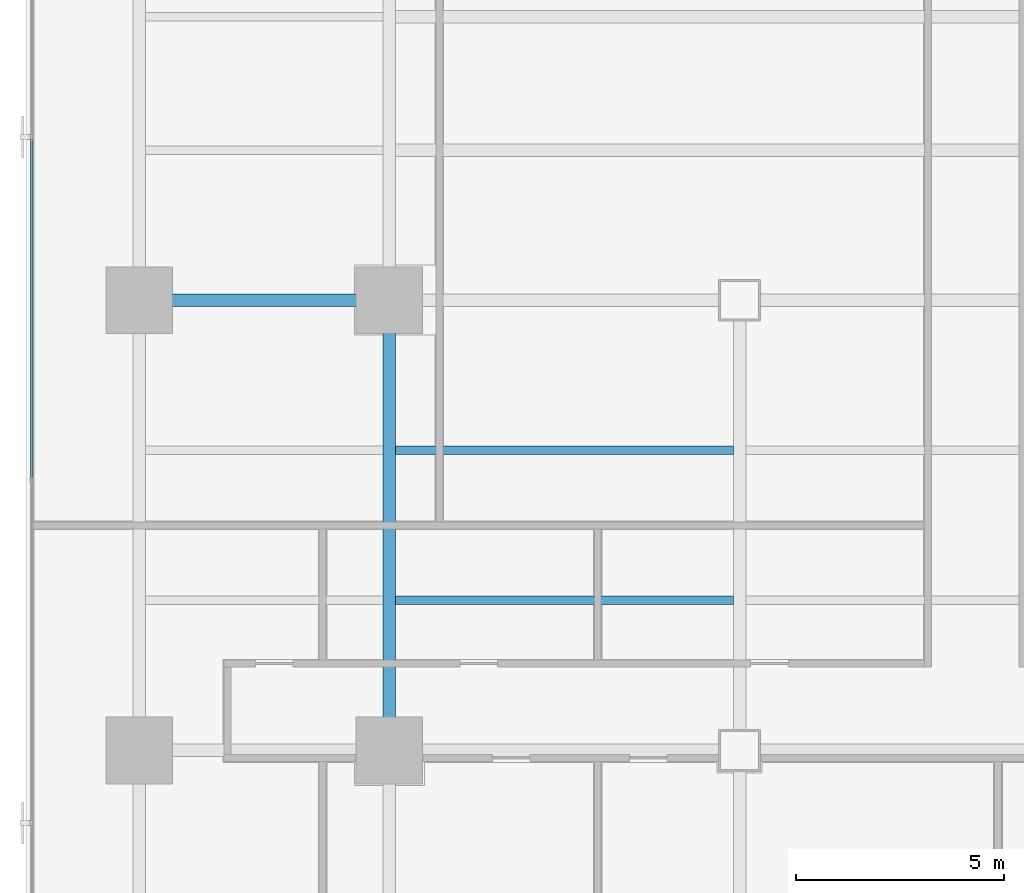
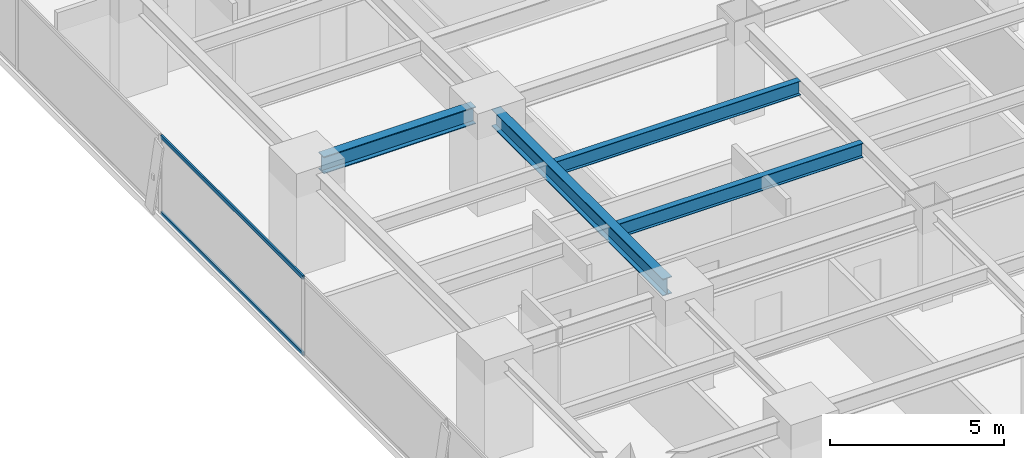
# One storey, part 9 of 37: 4 beams, 2 members, 1 element without a shape of its own.
"""IFC4 building model written with IfcOpenShell, lengths in metres."""

from ifc_helpers import new_model, si_unit, direction, frame, origin, origin_2d, place, context, subcontext, project, spatial, hollow_rectangle, i_section, extrude, source, transform, mapped, material, layer, layer_set, material_profile, profile_set, type_object, element, aggregate, save


model = new_model("IFC4")

# Units and contexts
model_context = context("Model", 3, precision=1e-05, world=origin(), true_north=direction((0.0, 1.0)))
body_context = subcontext(model_context, "Body", "Model", "MODEL_VIEW")
ifc_project = project(units=[si_unit("LENGTHUNIT", "METRE"), si_unit("AREAUNIT", "SQUARE_METRE"), si_unit("VOLUMEUNIT", "CUBIC_METRE"), si_unit("PLANEANGLEUNIT", "RADIAN"), si_unit("MASSUNIT", "GRAM", prefix="KILO")], contexts=[model_context])

# Site, building, storey
site_placement = place(None, origin())
site = spatial("IfcSite", under=ifc_project, at=site_placement, CompositionType="ELEMENT")
building_placement = place(site_placement, origin())
building = spatial("IfcBuilding", under=site, at=building_placement, Name="Sumidabori Civic Tower", CompositionType="ELEMENT")
storey_placement = place(building_placement, frame((0.0, 0.0, 110.0)))
storey = spatial("IfcBuildingStorey", under=building, at=storey_placement, Name="L28", CompositionType="ELEMENT", Elevation=110.0)

# Beams
ifc_material_1 = material(Name="Steel SN490", Category="steel")
ifc_material_profile_1 = material_profile(ifc_material_1, i_section(OverallWidth=0.300048828125, OverallDepth=0.60009765625, WebThickness=0.015380859375, FlangeThickness=0.030029296875, at=origin_2d()), Name="HE 600 B")
ifc_profile_set_1 = profile_set([ifc_material_profile_1], Name="Steel SN490")
beam_type_1 = type_object("IfcBeamType", Name="BM-GIRD-600", PredefinedType="BEAM", material=ifc_profile_set_1)
shared_shape_1 = source(origin(), body_context, "Body", "SweptSolid", [
    extrude(i_section(OverallWidth=0.300048828125, OverallDepth=0.60009765625, WebThickness=0.015380859375, FlangeThickness=0.030029296875, at=origin_2d()), origin(), (0.0, 0.0, 1.0), 5.0400390625),
])
beam_1_placement = place(storey_placement, frame((-22.320068359375, 0.0, 3.06005859375), z_axis=(1.0, 0.0, 0.0), x_axis=(0.0, 1.0, 0.0)))
element("IfcBeam", 1, at=beam_1_placement, inside=storey, type_object=beam_type_1, Name="Primary Girder L28 GX-13", PredefinedType="BEAM", context=body_context, shape_type="MappedRepresentation", body=[
    mapped(shared_shape_1, transform((0.0, 0.0, 0.0), x_axis=(1.0, 0.0, 0.0), y_axis=(0.0, 1.0, 0.0), z_axis=(0.0, 0.0, 1.0), scale=1.0)),
])
shared_shape_2 = source(origin(), body_context, "Body", "SweptSolid", [
    extrude(i_section(OverallWidth=0.300048828125, OverallDepth=0.60009765625, WebThickness=0.015380859375, FlangeThickness=0.030029296875, at=origin_2d()), origin(), (0.0, 0.0, 1.0), 9.840087890625),
])
beam_2_placement = place(storey_placement, frame((-16.800048828125, -10.320068359375, 3.06005859375), z_axis=(0.0, 1.0, 0.0), x_axis=(-1.0, 0.0, 0.0)))
element("IfcBeam", 2, at=beam_2_placement, inside=storey, type_object=beam_type_1, Name="Primary Girder L28 GY-26", PredefinedType="BEAM", context=body_context, shape_type="MappedRepresentation", body=[
    mapped(shared_shape_2, transform((0.0, 0.0, 0.0), x_axis=(1.0, 0.0, 0.0), y_axis=(0.0, 1.0, 0.0), z_axis=(0.0, 0.0, 1.0), scale=1.0)),
])
ifc_material_profile_2 = material_profile(ifc_material_1, i_section(OverallWidth=0.199951171875, OverallDepth=0.5, WebThickness=0.01025390625, FlangeThickness=0.01611328125, at=origin_2d()), Name="IPE 500")
ifc_profile_set_2 = profile_set([ifc_material_profile_2], Name="Steel SN490")
beam_type_2 = type_object("IfcBeamType", Name="BM-JST-500", PredefinedType="JOIST", material=ifc_profile_set_2)
shared_shape_3 = source(origin(), body_context, "Body", "SweptSolid", [
    extrude(i_section(OverallWidth=0.199951171875, OverallDepth=0.5, WebThickness=0.01025390625, FlangeThickness=0.01611328125, at=origin_2d()), origin(), (0.0, 0.0, 1.0), 8.099853515625),
])
for number, where, z_axis, x_axis, name in (
    (3, (-16.64990234375, -7.199951171875, 3.110107421875), (1.0, 0.0, 0.0), (0.0, 1.0, 0.0), "South Bay Floor Joist L28 JSTS-59"),
    (4, (-16.64990234375, -3.60009765625, 3.110107421875), (1.0, 0.0, 0.0), (0.0, 1.0, 0.0), "South Bay Floor Joist L28 JSTS-63"),
):
    element("IfcBeam", number, at=place(storey_placement, frame(where, z_axis=z_axis, x_axis=x_axis)), inside=storey, type_object=beam_type_2, Name=name, PredefinedType="JOIST", context=body_context, shape_type="MappedRepresentation", body=[
        mapped(shared_shape_3, transform((0.0, 0.0, 0.0), x_axis=(1.0, 0.0, 0.0), y_axis=(0.0, 1.0, 0.0), z_axis=(0.0, 0.0, 1.0), scale=1.0)),
    ])

# Curtain wall, members
ifc_material_2 = material(Name="Anodised Bronze Aluminium AW-6063-T6", Category="aluminium")
ifc_layer = layer(ifc_material_2, 0.179931640625, Name="Anodised Bronze Aluminium AW-6063-T6")
ifc_layer_set = layer_set([ifc_layer], Name="Anodised Bronze Aluminium AW-6063-T6")
curtain_wall_type = type_object("IfcCurtainWallType", Name="CW-SYS-3", PredefinedType="NOTDEFINED", material=ifc_layer_set)
curtain_wall_placement = place(storey_placement, origin())
curtain_wall = element("IfcCurtainWall", 5, at=curtain_wall_placement, inside=storey, type_object=curtain_wall_type, Name="Curtain Wall CW:L28:R10", PredefinedType="NOTDEFINED")
ifc_material_profile_3 = material_profile(ifc_material_2, hollow_rectangle(XDim=0.06005859375, YDim=0.1298828125, WallThickness=0.0048828125, at=origin_2d()), Name="ALU TRANSOM 130x60")
ifc_profile_set_3 = profile_set([ifc_material_profile_3], Name="Anodised Bronze Aluminium AW-6063-T6")
member_type = type_object("IfcMemberType", Name="CW-TRN-130", PredefinedType="USERDEFINED", material=ifc_profile_set_3)
shared_shape_4 = source(origin(), body_context, "Body", "SweptSolid", [
    extrude(hollow_rectangle(XDim=0.06005859375, YDim=0.1298828125, WallThickness=0.0048828125, at=origin_2d()), origin(), (0.0, 0.0, 1.0), 8.1630859375),
])
member_1_placement = place(storey_placement, frame((-25.3798828125, 3.881591796875, 0.030029296875), z_axis=(0.0, -1.0, 0.0), x_axis=(1.0, 0.0, 0.0)))
member_1 = element("IfcMember", 6, at=member_1_placement, type_object=member_type, Name="CW-3 transom 3.1", ObjectType="TRANSOM", PredefinedType="USERDEFINED", context=body_context, shape_type="MappedRepresentation", body=[
    mapped(shared_shape_4, transform((0.0, 0.0, 0.0), x_axis=(1.0, 0.0, 0.0), y_axis=(0.0, 1.0, 0.0), z_axis=(0.0, 0.0, 1.0), scale=1.0)),
])
member_2_placement = place(storey_placement, frame((-25.3798828125, 3.881591796875, 2.7099609375), z_axis=(0.0, -1.0, 0.0), x_axis=(1.0, 0.0, 0.0)))
member_2 = element("IfcMember", 7, at=member_2_placement, type_object=member_type, Name="CW-3 transom 3.2", ObjectType="TRANSOM", PredefinedType="USERDEFINED", context=body_context, shape_type="MappedRepresentation", body=[
    mapped(shared_shape_4, transform((0.0, 0.0, 0.0), x_axis=(1.0, 0.0, 0.0), y_axis=(0.0, 1.0, 0.0), z_axis=(0.0, 0.0, 1.0), scale=1.0)),
])
aggregate(curtain_wall, [member_1, member_2])

save(model, "model.ifc")
